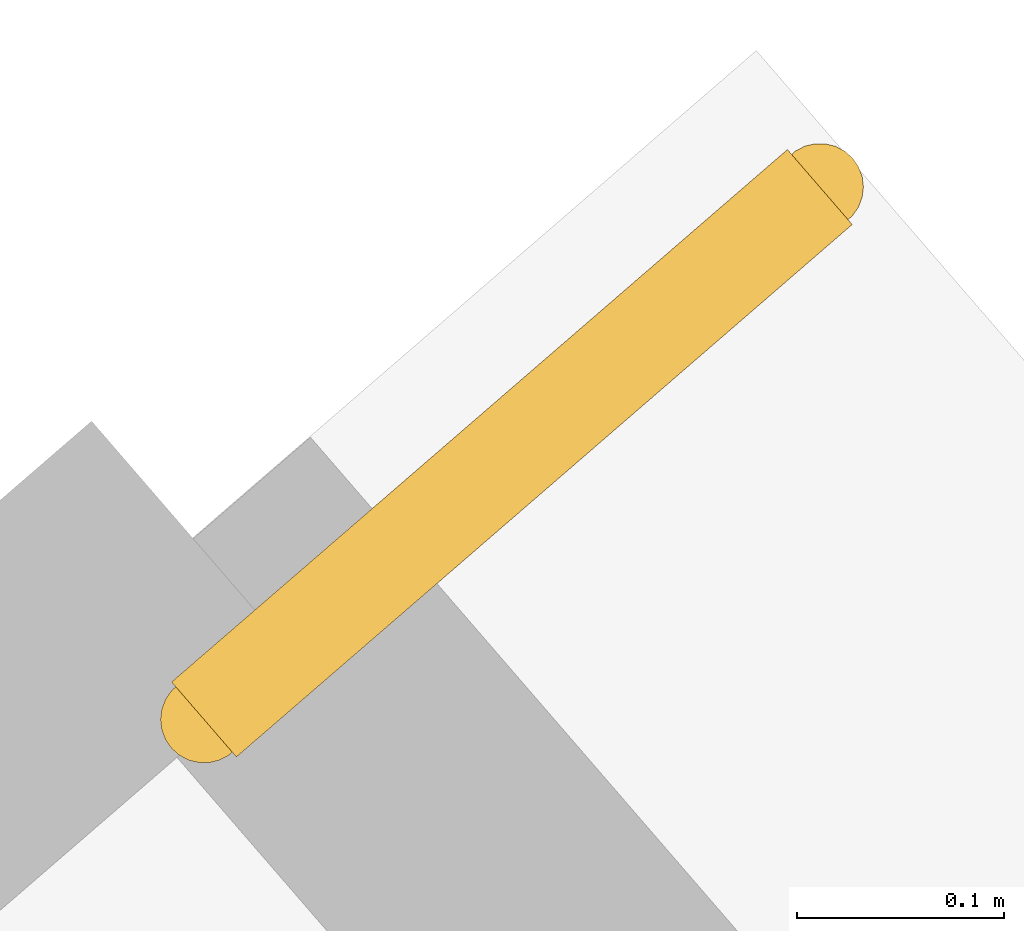
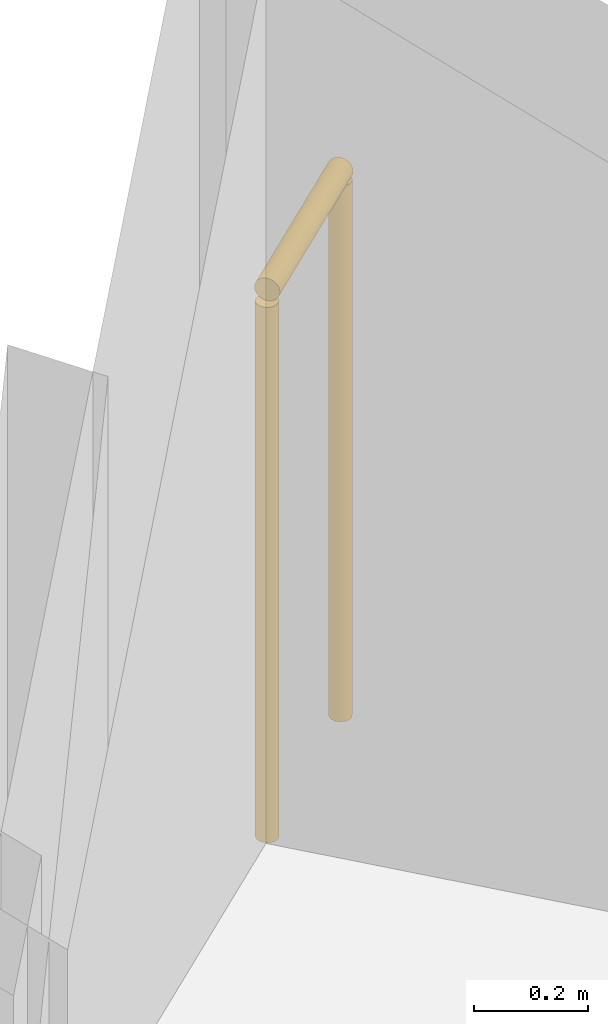
# One storey, part 14 of 14: 1 railing.
"""IFC4 building model written with IfcOpenShell, lengths in metres."""

from ifc_helpers import new_model, si_unit, direction, frame, origin, origin_2d, place, context, subcontext, project, spatial, circle, extrude, material, layer, layer_set, type_object, element, save


model = new_model("IFC4")

# Units and contexts
model_context = context("Model", 3, precision=1e-05, world=origin(), true_north=direction((0.0, 1.0)))
body_context = subcontext(model_context, "Body", "Model", "MODEL_VIEW")
ifc_project = project(units=[si_unit("LENGTHUNIT", "METRE"), si_unit("AREAUNIT", "SQUARE_METRE"), si_unit("VOLUMEUNIT", "CUBIC_METRE"), si_unit("PLANEANGLEUNIT", "RADIAN"), si_unit("MASSUNIT", "GRAM", prefix="KILO")], contexts=[model_context])

# Site, building, storey
site_placement = place(None, origin())
site = spatial("IfcSite", under=ifc_project, at=site_placement, CompositionType="ELEMENT")
building_placement = place(site_placement, origin())
building = spatial("IfcBuilding", under=site, at=building_placement, Name="Gaonmaruhae Medical Tower", CompositionType="ELEMENT")
storey_placement = place(building_placement, frame((0.0, 0.0, 197.800048828125)))
storey = spatial("IfcBuildingStorey", under=building, at=storey_placement, Name="L47", CompositionType="ELEMENT", Elevation=197.800048828125)

# Railing
ifc_material = material(Name="Stainless steel 316L and laminated safety glass", Category="steel")
ifc_layer = layer(ifc_material, 0.080078125)
ifc_layer_set = layer_set([ifc_layer], Name="Stainless steel 316L and laminated safety glass")
railing_type = type_object("IfcRailingType", Name="GD-120 Outdoor Terrace Safety Glass & Steel Balustrade", PredefinedType="BALUSTRADE", material=ifc_layer_set)
railing_placement = place(storey_placement, frame((52.386474609375, 37.91162109375, 0.0)))
element("IfcRailing", 1, at=railing_placement, inside=storey, type_object=railing_type, Name="L47 Perimeter Slab Edge Safety Balustrade 01", PredefinedType="BALUSTRADE", context=body_context, shape_type="SweptSolid", body=[
    extrude(circle(Radius=0.02392578125, at=origin_2d()), frame((0.0, 0.0, 1.17578125), z_axis=(0.756446147925, 0.654055980241, 0.0), x_axis=(-0.654055980241, 0.756446147925, 0.0)), (0.0, 0.0, 1.0), 0.393310546875),
    extrude(circle(Radius=0.02099609375, at=origin_2d()), origin(), (0.0, 0.0, 1.0), 1.15185546875),
    extrude(circle(Radius=0.02099609375, at=origin_2d()), frame((0.297607421875, 0.25732421875, 0.0)), (0.0, 0.0, 1.0), 1.15185546875),
])

save(model, "model.ifc")
